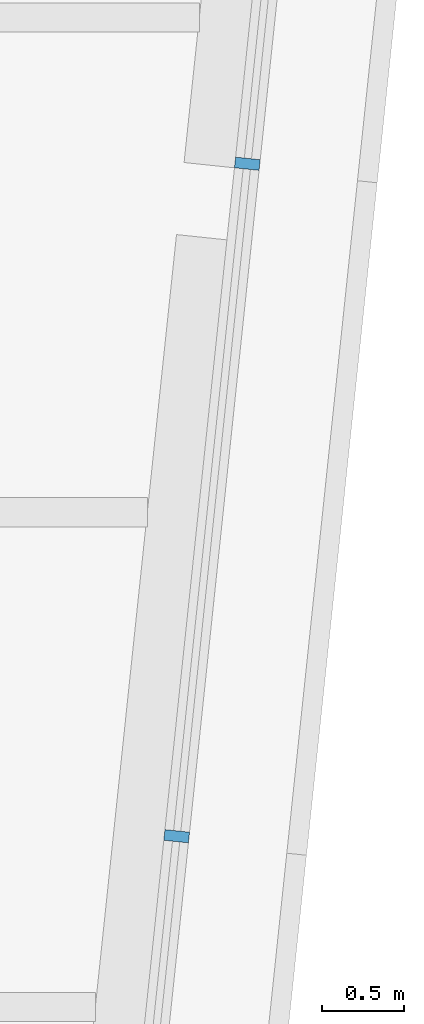
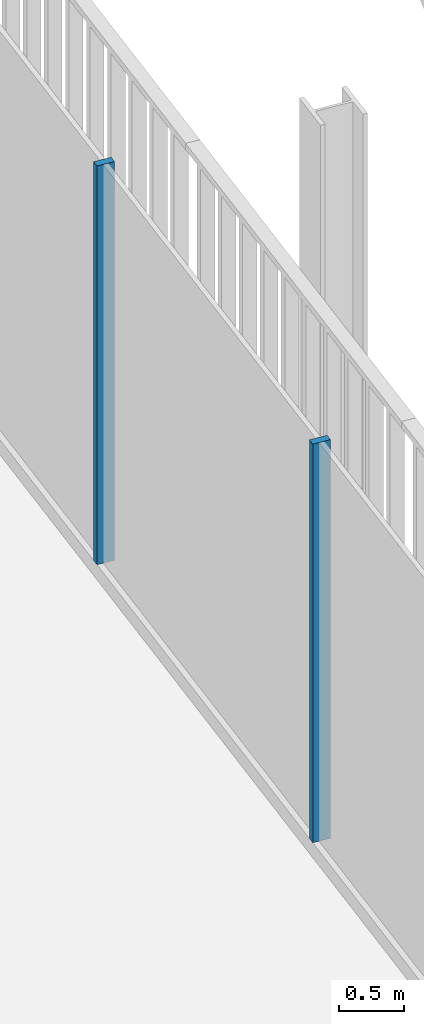
# One storey, part 11 of 21: 2 members, 1 element without a shape of its own.
"""IFC4 building model written with IfcOpenShell, lengths in metres."""

from ifc_helpers import new_model, si_unit, direction, frame, origin, origin_2d, place, context, subcontext, project, spatial, rectangle, extrude, material, layer, layer_set, material_profile, profile_set, type_object, element, aggregate, save


model = new_model("IFC4")

# Units and contexts
model_context = context("Model", 3, precision=1e-05, world=origin(), true_north=direction((0.0, 1.0)))
body_context = subcontext(model_context, "Body", "Model", "MODEL_VIEW")
ifc_project = project(units=[si_unit("LENGTHUNIT", "METRE"), si_unit("AREAUNIT", "SQUARE_METRE"), si_unit("VOLUMEUNIT", "CUBIC_METRE"), si_unit("PLANEANGLEUNIT", "RADIAN"), si_unit("MASSUNIT", "GRAM", prefix="KILO")], contexts=[model_context])

# Site, building, storey
site_placement = place(None, origin())
site = spatial("IfcSite", under=ifc_project, at=site_placement, CompositionType="ELEMENT")
building_placement = place(site_placement, origin())
building = spatial("IfcBuilding", under=site, at=building_placement, Name="Millrace Tower", CompositionType="ELEMENT")
storey_placement = place(building_placement, frame((0.0, 0.0, 276.0)))
storey = spatial("IfcBuildingStorey", under=building, at=storey_placement, Name="L63", CompositionType="ELEMENT", Elevation=276.0)

# Curtain wall, members
ifc_material_1 = material(Name="Aluminium and glass", Category="aluminium")
ifc_layer = layer(ifc_material_1, 0.14990234375)
ifc_layer_set = layer_set([ifc_layer], Name="Aluminium and glass")
curtain_wall_type = type_object("IfcCurtainWallType", Name="CW-1 office vision curtain wall", PredefinedType="NOTDEFINED", material=ifc_layer_set)
curtain_wall_placement = place(storey_placement, origin())
curtain_wall = element("IfcCurtainWall", 1, at=curtain_wall_placement, inside=storey, type_object=curtain_wall_type, Name="Curtain wall E-F04 L63", PredefinedType="NOTDEFINED")
ifc_material_2 = material(Name="Aluminium", Category="aluminium")
ifc_material_profile = material_profile(ifc_material_2, rectangle(XDim=0.06494140625, YDim=0.14990234375, at=origin_2d()))
ifc_profile_set = profile_set([ifc_material_profile], Name="Aluminium")
member_type = type_object("IfcMemberType", Name="CW-1 office vision curtain wall mullion", PredefinedType="MULLION", material=ifc_profile_set)
member_1_placement = place(storey_placement, frame((23.11767578125, 4.03515625, 0.139892578125), z_axis=(0.0, 0.0, 1.0), x_axis=(0.104528455196, 0.994521896217, 0.0)))
member_1 = element("IfcMember", 2, at=member_1_placement, type_object=member_type, Name="CW1 mullion E-F04.6", PredefinedType="MULLION", context=body_context, shape_type="SweptSolid", body=[
    extrude(rectangle(XDim=0.06494140625, YDim=0.14990234375, at=origin_2d()), origin(), (0.0, 0.0, 1.0), 3.760009765625),
])
member_2_placement = place(storey_placement, frame((23.546142578125, 8.11279296875, 0.139892578125), z_axis=(0.0, 0.0, 1.0), x_axis=(0.104528455196, 0.994521896217, 0.0)))
member_2 = element("IfcMember", 3, at=member_2_placement, type_object=member_type, Name="CW1 mullion E-F04.7", PredefinedType="MULLION", context=body_context, shape_type="SweptSolid", body=[
    extrude(rectangle(XDim=0.06494140625, YDim=0.14990234375, at=origin_2d()), origin(), (0.0, 0.0, 1.0), 3.760009765625),
])
aggregate(curtain_wall, [member_1, member_2])

save(model, "model.ifc")
